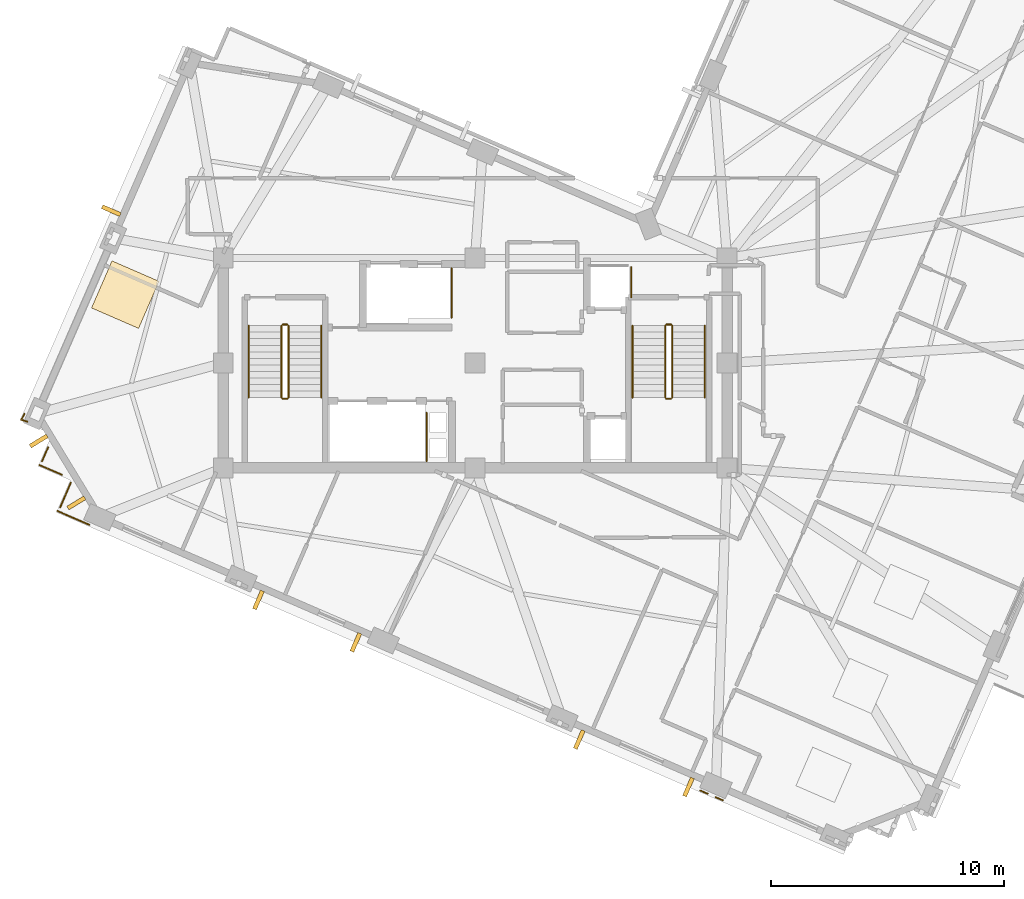
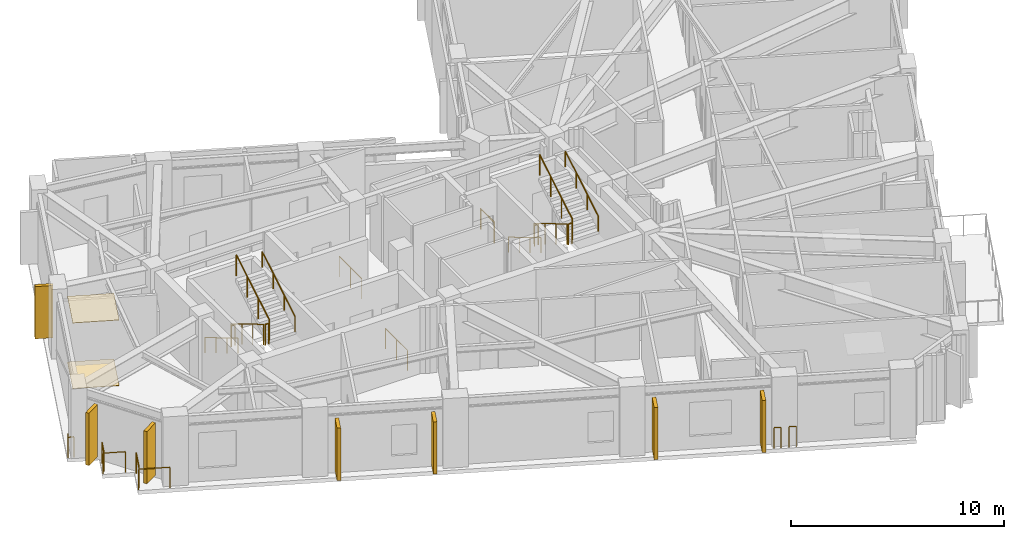
# One storey, part 10 of 12: 22 railings, 7 shading devices, 2 coverings.
"""IFC4 building model written with IfcOpenShell, lengths in metres."""

from ifc_helpers import new_model, si_unit, direction, frame, origin, origin_2d, place, context, subcontext, project, spatial, rectangle, circle, extrude, material, layer, layer_set, type_object, element, save


model = new_model("IFC4")

# Units and contexts
model_context = context("Model", 3, precision=1e-05, world=origin(), true_north=direction((0.0, 1.0)))
body_context = subcontext(model_context, "Body", "Model", "MODEL_VIEW")
ifc_project = project(units=[si_unit("LENGTHUNIT", "METRE"), si_unit("AREAUNIT", "SQUARE_METRE"), si_unit("VOLUMEUNIT", "CUBIC_METRE"), si_unit("PLANEANGLEUNIT", "RADIAN"), si_unit("MASSUNIT", "GRAM", prefix="KILO")], contexts=[model_context])

# Site, building, storey
site_placement = place(None, origin())
site = spatial("IfcSite", under=ifc_project, at=site_placement, CompositionType="ELEMENT")
building_placement = place(site_placement, origin())
building = spatial("IfcBuilding", under=site, at=building_placement, Name="Gaonmaruhae Medical Tower", CompositionType="ELEMENT")
storey_placement = place(building_placement, frame((0.0, 0.0, 320.60009765625)))
storey = spatial("IfcBuildingStorey", under=building, at=storey_placement, Name="L77", CompositionType="ELEMENT", Elevation=320.60009765625)

# Coverings
ifc_material_1 = material(Name="Acoustic mineral ceiling tile", Category="finish")
ifc_layer_1 = layer(ifc_material_1, 0.02490234375)
ifc_layer_set_1 = layer_set([ifc_layer_1], Name="Acoustic mineral ceiling tile")
covering_type_1 = type_object("IfcCoveringType", Name="CLG-01 Antimicrobial Acoustic Mineral Ceiling", PredefinedType="CEILING", material=ifc_layer_set_1)
covering_1_placement = place(storey_placement, frame((9.803466796875, 15.22998046875, 3.7548828125), z_axis=(0.0, 0.0, 1.0), x_axis=(0.398749068925, 0.917060074385, 0.0)))
element("IfcCovering", 1, at=covering_1_placement, inside=storey, type_object=covering_type_1, Name="L77 Clinical Corridor Acoustic Ceiling", PredefinedType="CEILING", context=body_context, shape_type="SweptSolid", body=[
    extrude(rectangle(XDim=2.199951171875, YDim=2.199951171875, at=origin_2d()), origin(), (0.0, 0.0, 1.0), 0.02490234375),
])
ifc_material_2 = material(Name="Seamless clinical vinyl flooring", Category="finish")
ifc_layer_2 = layer(ifc_material_2, 0.014892578125)
ifc_layer_set_2 = layer_set([ifc_layer_2], Name="Seamless clinical vinyl flooring")
covering_type_2 = type_object("IfcCoveringType", Name="FLR-01 Seamless Clinical Antistatic Vinyl Flooring", PredefinedType="FLOORING", material=ifc_layer_set_2)
covering_2_placement = place(storey_placement, frame((9.803466796875, 15.22998046875, 0.00048828125), z_axis=(0.0, 0.0, 1.0), x_axis=(0.398749068925, 0.917060074385, 0.0)))
element("IfcCovering", 2, at=covering_2_placement, inside=storey, type_object=covering_type_2, Name="L77 Clinical Corridor Vinyl Flooring", PredefinedType="FLOORING", context=body_context, shape_type="SweptSolid", body=[
    extrude(rectangle(XDim=2.199951171875, YDim=2.199951171875, at=origin_2d()), origin(), (0.0, 0.0, 1.0), 0.014892578125),
])

# Railings
ifc_material_3 = material(Name="Stainless steel 316L and laminated safety glass", Category="steel")
ifc_layer_3 = layer(ifc_material_3, 0.080078125)
ifc_layer_set_3 = layer_set([ifc_layer_3], Name="Stainless steel 316L and laminated safety glass")
railing_type_1 = type_object("IfcRailingType", Name="GD-120 Outdoor Terrace Safety Glass & Steel Balustrade", PredefinedType="BALUSTRADE", material=ifc_layer_set_3)
railing_1_placement = place(storey_placement, frame((35.426025390625, -6.449951171875, 0.0)))
element("IfcRailing", 3, at=railing_1_placement, inside=storey, type_object=railing_type_1, Name="L77 Perimeter Slab Edge Safety Balustrade 01", PredefinedType="BALUSTRADE", context=body_context, shape_type="SweptSolid", body=[
    extrude(circle(Radius=0.02392578125, at=origin_2d()), frame((0.0, 0.0, 1.17578125), z_axis=(-0.917161522397, 0.398515673261, 0.0), x_axis=(-0.398515673261, -0.917161522397, 0.0)), (0.0, 0.0, 1.0), 0.33935546875),
    extrude(circle(Radius=0.02099609375, at=origin_2d()), origin(), (0.0, 0.0, 1.0), 1.15185546875),
    extrude(circle(Radius=0.02099609375, at=origin_2d()), frame((-0.311279296875, 0.13525390625, 0.0)), (0.0, 0.0, 1.0), 1.15185546875),
])
railing_2_placement = place(storey_placement, frame((34.767578125, -6.163818359375, 0.0)))
element("IfcRailing", 4, at=railing_2_placement, inside=storey, type_object=railing_type_1, Name="L77 Perimeter Slab Edge Safety Balustrade 02", PredefinedType="BALUSTRADE", context=body_context, shape_type="SweptSolid", body=[
    extrude(circle(Radius=0.02392578125, at=origin_2d()), frame((0.0, 0.0, 1.17578125), z_axis=(-0.916898476342, 0.399120513231, 0.0), x_axis=(-0.399120513231, -0.916898476342, 0.0)), (0.0, 0.0, 1.0), 0.339599609375),
    extrude(circle(Radius=0.02099609375, at=origin_2d()), origin(), (0.0, 0.0, 1.0), 1.15185546875),
    extrude(circle(Radius=0.02099609375, at=origin_2d()), frame((-0.311279296875, 0.135498046875, 0.0)), (0.0, 0.0, 1.0), 1.15185546875),
])
railing_3_placement = place(storey_placement, frame((8.26318359375, 5.36083984375, 0.0)))
element("IfcRailing", 5, at=railing_3_placement, inside=storey, type_object=railing_type_1, Name="L77 Perimeter Slab Edge Safety Balustrade 03", PredefinedType="BALUSTRADE", context=body_context, shape_type="SweptSolid", body=[
    extrude(circle(Radius=0.02392578125, at=origin_2d()), frame((0.0, 0.0, 1.17578125), z_axis=(-0.917072650975, 0.398720143501, 0.0), x_axis=(-0.398720143501, -0.917072650975, 0.0)), (0.0, 0.0, 1.0), 1.495849609375),
    extrude(circle(Radius=0.02099609375, at=origin_2d()), origin(), (0.0, 0.0, 1.0), 1.15185546875),
    extrude(circle(Radius=0.02099609375, at=origin_2d()), frame((-1.371826171875, 0.596435546875, 0.0)), (0.0, 0.0, 1.0), 1.15185546875),
])
railing_4_placement = place(storey_placement, frame((7.01025390625, 6.10546875, 0.0)))
element("IfcRailing", 6, at=railing_4_placement, inside=storey, type_object=railing_type_1, Name="L77 Perimeter Slab Edge Safety Balustrade 04", PredefinedType="BALUSTRADE", context=body_context, shape_type="SweptSolid", body=[
    extrude(circle(Radius=0.02392578125, at=origin_2d()), frame((0.0, 0.0, 1.17578125), z_axis=(0.398664536879, 0.917096825333, 0.0), x_axis=(-0.917096825333, 0.398664536879, 0.0)), (0.0, 0.0, 1.0), 1.159912109375),
    extrude(circle(Radius=0.02099609375, at=origin_2d()), origin(), (0.0, 0.0, 1.0), 1.15185546875),
    extrude(circle(Radius=0.02099609375, at=origin_2d()), frame((0.46240234375, 1.063720703125, 0.0)), (0.0, 0.0, 1.0), 1.15185546875),
])
railing_5_placement = place(storey_placement, frame((7.085693359375, 7.50830078125, 0.0)))
element("IfcRailing", 7, at=railing_5_placement, inside=storey, type_object=railing_type_1, Name="L77 Perimeter Slab Edge Safety Balustrade 05", PredefinedType="BALUSTRADE", context=body_context, shape_type="SweptSolid", body=[
    extrude(circle(Radius=0.02392578125, at=origin_2d()), frame((0.0, 0.0, 1.17578125), z_axis=(-0.917059068991, 0.398751381166, 0.0), x_axis=(-0.398751381166, -0.917059068991, 0.0)), (0.0, 0.0, 1.0), 1.059814453125),
    extrude(circle(Radius=0.02099609375, at=origin_2d()), origin(), (0.0, 0.0, 1.0), 1.15185546875),
    extrude(circle(Radius=0.02099609375, at=origin_2d()), frame((-0.971923828125, 0.422607421875, 0.0)), (0.0, 0.0, 1.0), 1.15185546875),
])
railing_6_placement = place(storey_placement, frame((6.232666015625, 8.0791015625, 0.0)))
element("IfcRailing", 8, at=railing_6_placement, inside=storey, type_object=railing_type_1, Name="L77 Perimeter Slab Edge Safety Balustrade 06", PredefinedType="BALUSTRADE", context=body_context, shape_type="SweptSolid", body=[
    extrude(circle(Radius=0.02392578125, at=origin_2d()), frame((0.0, 0.0, 1.17578125), z_axis=(0.398644977145, 0.917105327755, 0.0), x_axis=(-0.917105327755, 0.398644977145, 0.0)), (0.0, 0.0, 1.0), 0.66015625),
    extrude(circle(Radius=0.02099609375, at=origin_2d()), origin(), (0.0, 0.0, 1.0), 1.15185546875),
    extrude(circle(Radius=0.02099609375, at=origin_2d()), frame((0.26318359375, 0.60546875, 0.0)), (0.0, 0.0, 1.0), 1.15185546875),
])
railing_7_placement = place(storey_placement, frame((5.611572265625, 9.78515625, 0.0)))
element("IfcRailing", 9, at=railing_7_placement, inside=storey, type_object=railing_type_1, Name="L77 Perimeter Corner Safety Balustrade 16", PredefinedType="BALUSTRADE", context=body_context, shape_type="SweptSolid", body=[
    extrude(circle(Radius=0.02392578125, at=origin_2d()), frame((0.0, 0.0, 1.17578125), z_axis=(-0.958849549831, 0.28391467167, 0.0), x_axis=(-0.28391467167, -0.958849549831, 0.0)), (0.0, 0.0, 1.0), 0.287109375),
    extrude(circle(Radius=0.02392578125, at=origin_2d()), frame((-0.275390625, 0.08154296875, 1.17578125), z_axis=(0.507726124509, 0.861518532877, 0.0), x_axis=(-0.861518532877, 0.507726124509, 0.0)), (0.0, 0.0, 1.0), 0.287109375),
    extrude(circle(Radius=0.02099609375, at=origin_2d()), origin(), (0.0, 0.0, 1.0), 1.15185546875),
    extrude(circle(Radius=0.02099609375, at=origin_2d()), frame((-0.275390625, 0.08154296875, 0.0)), (0.0, 0.0, 1.0), 1.15185546875),
    extrude(circle(Radius=0.02099609375, at=origin_2d()), frame((-0.129638671875, 0.328857421875, 0.0)), (0.0, 0.0, 1.0), 1.15185546875),
])
ifc_material_4 = material(Name="Stainless steel 304 handrail", Category="steel")
railing_type_2 = type_object("IfcRailingType", Name="HR-092 Continuous Stainless Steel Stair Handrail", PredefinedType="HANDRAIL", material=ifc_material_4)
railing_8_placement = place(storey_placement, frame((15.10009765625, 13.89990234375, 0.16650390625)))
element("IfcRailing", 10, at=railing_8_placement, inside=storey, type_object=railing_type_2, Name="L77 ST-01 stair handrail 1", PredefinedType="HANDRAIL", context=body_context, shape_type="SweptSolid", body=[
    extrude(circle(Radius=0.02392578125, at=origin_2d()), frame((0.0, 0.0, 0.8759765625), z_axis=(0.0, -0.859260807169, 0.511537745687), x_axis=(1.0, 0.0, 0.0)), (0.0, 0.0, 1.0), 3.584228515625),
    extrude(circle(Radius=0.02099609375, at=origin_2d()), origin(), (0.0, 0.0, 1.0), 0.851806640625),
    extrude(circle(Radius=0.02099609375, at=origin_2d()), frame((0.0, -1.026611328125, 0.611083984375)), (0.0, 0.0, 1.0), 0.851806640625),
    extrude(circle(Radius=0.02099609375, at=origin_2d()), frame((0.0, -2.05322265625, 1.222412109375)), (0.0, 0.0, 1.0), 0.851806640625),
    extrude(circle(Radius=0.02099609375, at=origin_2d()), frame((0.0, -3.079833984375, 1.83349609375)), (0.0, 0.0, 1.0), 0.851806640625),
])
railing_9_placement = place(storey_placement, frame((18.199951171875, 10.820068359375, 2.16650390625)))
element("IfcRailing", 11, at=railing_9_placement, inside=storey, type_object=railing_type_2, Name="L77 ST-01 stair handrail 2", PredefinedType="HANDRAIL", context=body_context, shape_type="SweptSolid", body=[
    extrude(circle(Radius=0.02392578125, at=origin_2d()), frame((0.0, 0.0, 0.8759765625), z_axis=(0.0, 0.859260807169, 0.511537745687), x_axis=(-1.0, 0.0, 0.0)), (0.0, 0.0, 1.0), 3.584228515625),
    extrude(circle(Radius=0.02099609375, at=origin_2d()), origin(), (0.0, 0.0, 1.0), 0.851806640625),
    extrude(circle(Radius=0.02099609375, at=origin_2d()), frame((0.0, 1.026611328125, 0.611083984375)), (0.0, 0.0, 1.0), 0.851806640625),
    extrude(circle(Radius=0.02099609375, at=origin_2d()), frame((0.0, 2.05322265625, 1.222412109375)), (0.0, 0.0, 1.0), 0.851806640625),
    extrude(circle(Radius=0.02099609375, at=origin_2d()), frame((0.0, 3.079833984375, 1.83349609375)), (0.0, 0.0, 1.0), 0.851806640625),
])
railing_10_placement = place(storey_placement, frame((31.550048828125, 13.89990234375, 0.16650390625)))
element("IfcRailing", 12, at=railing_10_placement, inside=storey, type_object=railing_type_2, Name="L77 ST-02 stair handrail 1", PredefinedType="HANDRAIL", context=body_context, shape_type="SweptSolid", body=[
    extrude(circle(Radius=0.02392578125, at=origin_2d()), frame((0.0, 0.0, 0.8759765625), z_axis=(0.0, -0.859260807169, 0.511537745687), x_axis=(1.0, 0.0, 0.0)), (0.0, 0.0, 1.0), 3.584228515625),
    extrude(circle(Radius=0.02099609375, at=origin_2d()), origin(), (0.0, 0.0, 1.0), 0.851806640625),
    extrude(circle(Radius=0.02099609375, at=origin_2d()), frame((0.0, -1.026611328125, 0.611083984375)), (0.0, 0.0, 1.0), 0.851806640625),
    extrude(circle(Radius=0.02099609375, at=origin_2d()), frame((0.0, -2.05322265625, 1.222412109375)), (0.0, 0.0, 1.0), 0.851806640625),
    extrude(circle(Radius=0.02099609375, at=origin_2d()), frame((0.0, -3.079833984375, 1.83349609375)), (0.0, 0.0, 1.0), 0.851806640625),
])
railing_11_placement = place(storey_placement, frame((34.64990234375, 10.820068359375, 2.16650390625)))
element("IfcRailing", 13, at=railing_11_placement, inside=storey, type_object=railing_type_2, Name="L77 ST-02 stair handrail 2", PredefinedType="HANDRAIL", context=body_context, shape_type="SweptSolid", body=[
    extrude(circle(Radius=0.02392578125, at=origin_2d()), frame((0.0, 0.0, 0.8759765625), z_axis=(0.0, 0.859260807169, 0.511537745687), x_axis=(-1.0, 0.0, 0.0)), (0.0, 0.0, 1.0), 3.584228515625),
    extrude(circle(Radius=0.02099609375, at=origin_2d()), origin(), (0.0, 0.0, 1.0), 0.851806640625),
    extrude(circle(Radius=0.02099609375, at=origin_2d()), frame((0.0, 1.026611328125, 0.611083984375)), (0.0, 0.0, 1.0), 0.851806640625),
    extrude(circle(Radius=0.02099609375, at=origin_2d()), frame((0.0, 2.05322265625, 1.222412109375)), (0.0, 0.0, 1.0), 0.851806640625),
    extrude(circle(Radius=0.02099609375, at=origin_2d()), frame((0.0, 3.079833984375, 1.83349609375)), (0.0, 0.0, 1.0), 0.851806640625),
])

# Shading devices
ifc_material_5 = material(Name="Pigmented coral precast concrete C45/55", Category="concrete")
shading_device_type = type_object("IfcShadingDeviceType", Name="SD-FIN1 Tower Vertical Coral Precast Shading Fin", PredefinedType="USERDEFINED", material=ifc_material_5)
for number, where, z_axis, x_axis, name in (
    (14, (9.201416015625, 18.831298828125, 0.13232421875), (0.0, 0.0, 1.0), (0.398749068925, 0.917060074385, 0.0), "L77 Vertical Coral Precast Shading Fin N01"),
    (15, (7.705322265625, 6.2998046875, 0.13232421875), (0.0, 0.0, 1.0), (-0.519250650088, 0.854621999707, 0.0), "L77 Vertical Coral Precast Shading Fin N03"),
    (16, (6.091796875, 8.955322265625, 0.13232421875), (0.0, 0.0, 1.0), (-0.519250650088, 0.854621999707, 0.0), "L77 Vertical Coral Precast Shading Fin N03B"),
    (17, (19.68798828125, 0.322265625, 0.13232421875), (0.0, 0.0, 1.0), (-0.917060074385, 0.398749068925, 0.0), "L77 Vertical Coral Precast Shading Fin W02"),
    (18, (15.510986328125, 2.138427734375, 0.13232421875), (0.0, 0.0, 1.0), (-0.917060074385, 0.398749068925, 0.0), "L77 Vertical Coral Precast Shading Fin W02B"),
    (19, (33.948486328125, -5.87841796875, 0.13232421875), (0.0, 0.0, 1.0), (-0.917060074385, 0.398749068925, 0.0), "L77 Vertical Coral Precast Shading Fin W04"),
    (20, (29.266845703125, -3.8427734375, 0.13232421875), (0.0, 0.0, 1.0), (-0.917060074385, 0.398749068925, 0.0), "L77 Vertical Coral Precast Shading Fin W04B"),
):
    element("IfcShadingDevice", number, at=place(storey_placement, frame(where, z_axis=z_axis, x_axis=x_axis)), inside=storey, type_object=shading_device_type, Name=name, ObjectType="FIN", PredefinedType="USERDEFINED", context=body_context, shape_type="SweptSolid", body=[
        extrude(rectangle(XDim=0.179931640625, YDim=0.85009765625, at=origin_2d()), origin(), (0.0, 0.0, 1.0), 3.0),
    ])

# Railings
ifc_material_6 = material(Name="Stainless steel 304 balustrade", Category="steel")
railing_type_3 = type_object("IfcRailingType", Name="SG-112 Stair Well & Ramp Void Safety Balustrade", PredefinedType="BALUSTRADE", material=ifc_material_6)
railing_12_placement = place(storey_placement, frame((16.5, 13.89990234375, 0.16650390625)))
element("IfcRailing", 21, at=railing_12_placement, inside=storey, type_object=railing_type_3, Name="L77 ST-01 stair guard 1", PredefinedType="BALUSTRADE", context=body_context, shape_type="SweptSolid", body=[
    extrude(circle(Radius=0.02392578125, at=origin_2d()), frame((0.0, 0.0, 1.17578125), z_axis=(0.0, -0.859260807169, 0.511537745687), x_axis=(1.0, 0.0, 0.0)), (0.0, 0.0, 1.0), 3.584228515625),
    extrude(circle(Radius=0.02099609375, at=origin_2d()), origin(), (0.0, 0.0, 1.0), 1.15185546875),
    extrude(circle(Radius=0.02099609375, at=origin_2d()), frame((0.0, -1.026611328125, 0.611083984375)), (0.0, 0.0, 1.0), 1.15185546875),
    extrude(circle(Radius=0.02099609375, at=origin_2d()), frame((0.0, -2.05322265625, 1.222412109375)), (0.0, 0.0, 1.0), 1.15185546875),
    extrude(circle(Radius=0.02099609375, at=origin_2d()), frame((0.0, -3.079833984375, 1.83349609375)), (0.0, 0.0, 1.0), 1.15185546875),
])
railing_13_placement = place(storey_placement, frame((16.550048828125, 10.77001953125, 2.0)))
element("IfcRailing", 22, at=railing_13_placement, inside=storey, type_object=railing_type_3, Name="L77 ST-01 stair guard 2", PredefinedType="BALUSTRADE", context=body_context, shape_type="SweptSolid", body=[
    extrude(circle(Radius=0.02392578125, at=origin_2d()), frame((0.0, 0.0, 1.17578125), z_axis=(1.0, 0.0, 0.0), x_axis=(0.0, 1.0, 0.0)), (0.0, 0.0, 1.0), 0.199951171875),
    extrude(circle(Radius=0.02099609375, at=origin_2d()), origin(), (0.0, 0.0, 1.0), 1.15185546875),
    extrude(circle(Radius=0.02099609375, at=origin_2d()), frame((0.199951171875, 0.0, 0.0)), (0.0, 0.0, 1.0), 1.15185546875),
])
railing_14_placement = place(storey_placement, frame((16.800048828125, 10.820068359375, 2.16650390625)))
element("IfcRailing", 23, at=railing_14_placement, inside=storey, type_object=railing_type_3, Name="L77 ST-01 stair guard 3", PredefinedType="BALUSTRADE", context=body_context, shape_type="SweptSolid", body=[
    extrude(circle(Radius=0.02392578125, at=origin_2d()), frame((0.0, 0.0, 1.17578125), z_axis=(0.0, 0.859260807169, 0.511537745687), x_axis=(-1.0, 0.0, 0.0)), (0.0, 0.0, 1.0), 3.584228515625),
    extrude(circle(Radius=0.02099609375, at=origin_2d()), origin(), (0.0, 0.0, 1.0), 1.15185546875),
    extrude(circle(Radius=0.02099609375, at=origin_2d()), frame((0.0, 1.026611328125, 0.611083984375)), (0.0, 0.0, 1.0), 1.15185546875),
    extrude(circle(Radius=0.02099609375, at=origin_2d()), frame((0.0, 2.05322265625, 1.222412109375)), (0.0, 0.0, 1.0), 1.15185546875),
    extrude(circle(Radius=0.02099609375, at=origin_2d()), frame((0.0, 3.079833984375, 1.83349609375)), (0.0, 0.0, 1.0), 1.15185546875),
])
railing_15_placement = place(storey_placement, frame((16.550048828125, 13.949951171875, 0.0)))
element("IfcRailing", 24, at=railing_15_placement, inside=storey, type_object=railing_type_3, Name="L77 ST-01 stair guard 4", PredefinedType="BALUSTRADE", context=body_context, shape_type="SweptSolid", body=[
    extrude(circle(Radius=0.02392578125, at=origin_2d()), frame((0.0, 0.0, 1.17578125), z_axis=(1.0, 0.0, 0.0), x_axis=(0.0, 1.0, 0.0)), (0.0, 0.0, 1.0), 0.199951171875),
    extrude(circle(Radius=0.02099609375, at=origin_2d()), origin(), (0.0, 0.0, 1.0), 1.15185546875),
    extrude(circle(Radius=0.02099609375, at=origin_2d()), frame((0.199951171875, 0.0, 0.0)), (0.0, 0.0, 1.0), 1.15185546875),
])
railing_16_placement = place(storey_placement, frame((32.949951171875, 13.89990234375, 0.16650390625)))
element("IfcRailing", 25, at=railing_16_placement, inside=storey, type_object=railing_type_3, Name="L77 ST-02 stair guard 1", PredefinedType="BALUSTRADE", context=body_context, shape_type="SweptSolid", body=[
    extrude(circle(Radius=0.02392578125, at=origin_2d()), frame((0.0, 0.0, 1.17578125), z_axis=(0.0, -0.859260807169, 0.511537745687), x_axis=(1.0, 0.0, 0.0)), (0.0, 0.0, 1.0), 3.584228515625),
    extrude(circle(Radius=0.02099609375, at=origin_2d()), origin(), (0.0, 0.0, 1.0), 1.15185546875),
    extrude(circle(Radius=0.02099609375, at=origin_2d()), frame((0.0, -1.026611328125, 0.611083984375)), (0.0, 0.0, 1.0), 1.15185546875),
    extrude(circle(Radius=0.02099609375, at=origin_2d()), frame((0.0, -2.05322265625, 1.222412109375)), (0.0, 0.0, 1.0), 1.15185546875),
    extrude(circle(Radius=0.02099609375, at=origin_2d()), frame((0.0, -3.079833984375, 1.83349609375)), (0.0, 0.0, 1.0), 1.15185546875),
])
railing_17_placement = place(storey_placement, frame((33.0, 10.77001953125, 2.0)))
element("IfcRailing", 26, at=railing_17_placement, inside=storey, type_object=railing_type_3, Name="L77 ST-02 stair guard 2", PredefinedType="BALUSTRADE", context=body_context, shape_type="SweptSolid", body=[
    extrude(circle(Radius=0.02392578125, at=origin_2d()), frame((0.0, 0.0, 1.17578125), z_axis=(1.0, 0.0, 0.0), x_axis=(0.0, 1.0, 0.0)), (0.0, 0.0, 1.0), 0.199951171875),
    extrude(circle(Radius=0.02099609375, at=origin_2d()), origin(), (0.0, 0.0, 1.0), 1.15185546875),
    extrude(circle(Radius=0.02099609375, at=origin_2d()), frame((0.199951171875, 0.0, 0.0)), (0.0, 0.0, 1.0), 1.15185546875),
])
railing_18_placement = place(storey_placement, frame((33.25, 10.820068359375, 2.16650390625)))
element("IfcRailing", 27, at=railing_18_placement, inside=storey, type_object=railing_type_3, Name="L77 ST-02 stair guard 3", PredefinedType="BALUSTRADE", context=body_context, shape_type="SweptSolid", body=[
    extrude(circle(Radius=0.02392578125, at=origin_2d()), frame((0.0, 0.0, 1.17578125), z_axis=(0.0, 0.859260807169, 0.511537745687), x_axis=(-1.0, 0.0, 0.0)), (0.0, 0.0, 1.0), 3.584228515625),
    extrude(circle(Radius=0.02099609375, at=origin_2d()), origin(), (0.0, 0.0, 1.0), 1.15185546875),
    extrude(circle(Radius=0.02099609375, at=origin_2d()), frame((0.0, 1.026611328125, 0.611083984375)), (0.0, 0.0, 1.0), 1.15185546875),
    extrude(circle(Radius=0.02099609375, at=origin_2d()), frame((0.0, 2.05322265625, 1.222412109375)), (0.0, 0.0, 1.0), 1.15185546875),
    extrude(circle(Radius=0.02099609375, at=origin_2d()), frame((0.0, 3.079833984375, 1.83349609375)), (0.0, 0.0, 1.0), 1.15185546875),
])
railing_19_placement = place(storey_placement, frame((33.0, 13.949951171875, 0.0)))
element("IfcRailing", 28, at=railing_19_placement, inside=storey, type_object=railing_type_3, Name="L77 ST-02 stair guard 4", PredefinedType="BALUSTRADE", context=body_context, shape_type="SweptSolid", body=[
    extrude(circle(Radius=0.02392578125, at=origin_2d()), frame((0.0, 0.0, 1.17578125), z_axis=(1.0, 0.0, 0.0), x_axis=(0.0, 1.0, 0.0)), (0.0, 0.0, 1.0), 0.199951171875),
    extrude(circle(Radius=0.02099609375, at=origin_2d()), origin(), (0.0, 0.0, 1.0), 1.15185546875),
    extrude(circle(Radius=0.02099609375, at=origin_2d()), frame((0.199951171875, 0.0, 0.0)), (0.0, 0.0, 1.0), 1.15185546875),
])
railing_20_placement = place(storey_placement, frame((22.719970703125, 10.159912109375, 0.0)))
element("IfcRailing", 29, at=railing_20_placement, inside=storey, type_object=railing_type_3, Name="L77 Shaft Edge Safety Guard 17", PredefinedType="BALUSTRADE", context=body_context, shape_type="SweptSolid", body=[
    extrude(circle(Radius=0.02392578125, at=origin_2d()), frame((0.0, 0.0, 1.17578125), z_axis=(0.0, -1.0, 0.0), x_axis=(1.0, 0.0, 0.0)), (0.0, 0.0, 1.0), 2.06494140625),
    extrude(circle(Radius=0.02099609375, at=origin_2d()), origin(), (0.0, 0.0, 1.0), 1.15185546875),
    extrude(circle(Radius=0.02099609375, at=origin_2d()), frame((0.0, -1.032470703125, 0.0)), (0.0, 0.0, 1.0), 1.15185546875),
    extrude(circle(Radius=0.02099609375, at=origin_2d()), frame((0.0, -2.06494140625, 0.0)), (0.0, 0.0, 1.0), 1.15185546875),
])
railing_21_placement = place(storey_placement, frame((23.794921875, 16.35498046875, 0.0)))
element("IfcRailing", 30, at=railing_21_placement, inside=storey, type_object=railing_type_3, Name="L77 Shaft Edge Safety Guard 18", PredefinedType="BALUSTRADE", context=body_context, shape_type="SweptSolid", body=[
    extrude(circle(Radius=0.02392578125, at=origin_2d()), frame((0.0, 0.0, 1.17578125), z_axis=(0.0, -1.0, 0.0), x_axis=(1.0, 0.0, 0.0)), (0.0, 0.0, 1.0), 2.10986328125),
    extrude(circle(Radius=0.02099609375, at=origin_2d()), origin(), (0.0, 0.0, 1.0), 1.15185546875),
    extrude(circle(Radius=0.02099609375, at=origin_2d()), frame((0.0, -1.054931640625, 0.0)), (0.0, 0.0, 1.0), 1.15185546875),
    extrude(circle(Radius=0.02099609375, at=origin_2d()), frame((0.0, -2.10986328125, 0.0)), (0.0, 0.0, 1.0), 1.15185546875),
])
railing_22_placement = place(storey_placement, frame((31.4951171875, 16.405029296875, 0.0)))
element("IfcRailing", 31, at=railing_22_placement, inside=storey, type_object=railing_type_3, Name="L77 Shaft Edge Safety Guard 19", PredefinedType="BALUSTRADE", context=body_context, shape_type="SweptSolid", body=[
    extrude(circle(Radius=0.02392578125, at=origin_2d()), frame((0.0, 0.0, 1.17578125), z_axis=(0.0, -1.0, 0.0), x_axis=(1.0, 0.0, 0.0)), (0.0, 0.0, 1.0), 1.284912109375),
    extrude(circle(Radius=0.02099609375, at=origin_2d()), origin(), (0.0, 0.0, 1.0), 1.15185546875),
    extrude(circle(Radius=0.02099609375, at=origin_2d()), frame((0.0, -1.284912109375, 0.0)), (0.0, 0.0, 1.0), 1.15185546875),
])

save(model, "model.ifc")
